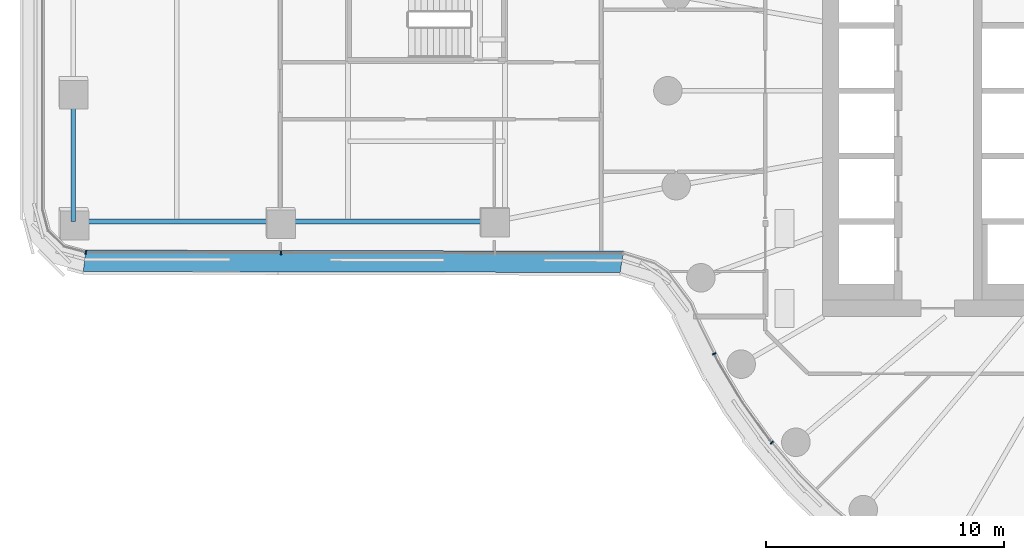
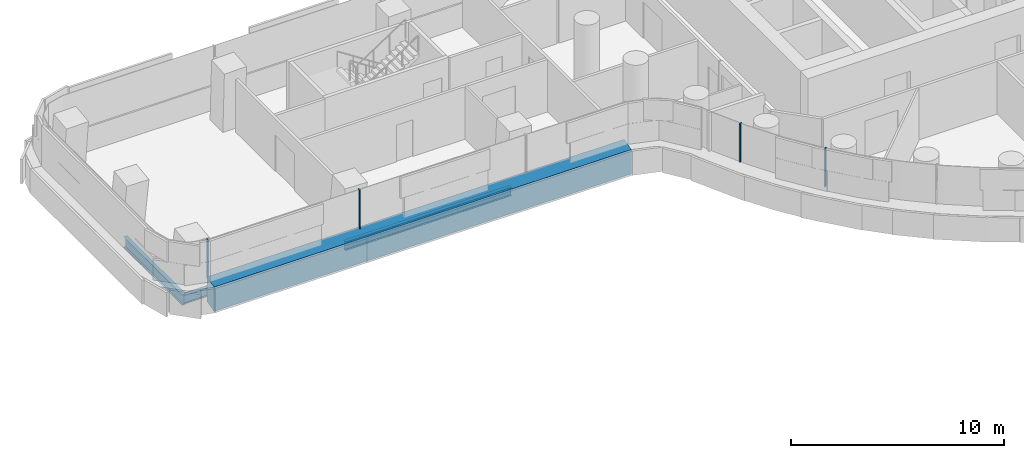
# One storey, part 4 of 32: 5 members, 3 beams, 2 elements without a shape of their own.
"""IFC4 building model written with IfcOpenShell, lengths in metres."""

from ifc_helpers import new_model, si_unit, direction, frame, origin, origin_2d, place, context, subcontext, project, spatial, polyline, rectangle, i_section, outline, extrude, material, layer, layer_set, material_profile, profile_set, type_object, element, aggregate, save


model = new_model("IFC4")

# Units and contexts
model_context = context("Model", 3, precision=1e-05, world=origin(), true_north=direction((0.0, 1.0)))
body_context = subcontext(model_context, "Body", "Model", "MODEL_VIEW")
ifc_project = project(units=[si_unit("LENGTHUNIT", "METRE"), si_unit("AREAUNIT", "SQUARE_METRE"), si_unit("VOLUMEUNIT", "CUBIC_METRE"), si_unit("PLANEANGLEUNIT", "RADIAN"), si_unit("MASSUNIT", "GRAM", prefix="KILO")], contexts=[model_context])

# Site, building, storey
site_placement = place(None, origin())
site = spatial("IfcSite", under=ifc_project, at=site_placement, CompositionType="ELEMENT")
building_placement = place(site_placement, origin())
building = spatial("IfcBuilding", under=site, at=building_placement, Name="Tamarind Cross Interchange Tower", CompositionType="ELEMENT")
storey_placement = place(building_placement, frame((0.0, 0.0, 34.0)))
storey = spatial("IfcBuildingStorey", under=building, at=storey_placement, Name="L06", CompositionType="ELEMENT", Elevation=34.0)

# Beams
ifc_material_1 = material(Name="Steel Q355B", Category="steel")
ifc_material_profile_1 = material_profile(ifc_material_1, i_section(OverallWidth=0.198974609375, OverallDepth=0.49609375, WebThickness=0.009033203125, FlangeThickness=0.013916015625, FilletRadius=0.012939453125, at=origin_2d()), Name="HN 496x199x9x14")
ifc_profile_set_1 = profile_set([ifc_material_profile_1], Name="Steel Q355B")
beam_type_1 = type_object("IfcBeamType", Name="Composite beam HN 496x199x9x14 Q355B", PredefinedType="BEAM", material=ifc_profile_set_1)
beam_1_placement = place(storey_placement, frame((-48.007568359375, -5.5, -0.387939453125), z_axis=(1.0, 0.0, 0.0), x_axis=(0.0, 1.0, 0.0)))
element("IfcBeam", 1, at=beam_1_placement, inside=storey, type_object=beam_type_1, Name="Beam W-edgeep2", PredefinedType="BEAM", context=body_context, shape_type="SweptSolid", body=[
    extrude(i_section(OverallWidth=0.198974609375, OverallDepth=0.49609375, WebThickness=0.009033203125, FlangeThickness=0.013916015625, FilletRadius=0.012939453125, at=origin_2d()), origin(), (0.0, 0.0, 1.0), 8.70751953125),
])
beam_2_placement = place(storey_placement, frame((-39.300048828125, -5.5, -0.387939453125), z_axis=(1.0, 0.0, 0.0), x_axis=(0.0, 1.0, 0.0)))
element("IfcBeam", 2, at=beam_2_placement, inside=storey, type_object=beam_type_1, Name="Beam W-edgeep3", PredefinedType="BEAM", context=body_context, shape_type="SweptSolid", body=[
    extrude(i_section(OverallWidth=0.198974609375, OverallDepth=0.49609375, WebThickness=0.009033203125, FlangeThickness=0.013916015625, FilletRadius=0.012939453125, at=origin_2d()), origin(), (0.0, 0.0, 1.0), 9.0),
])
ifc_material_profile_2 = material_profile(ifc_material_1, i_section(OverallWidth=0.199951171875, OverallDepth=0.60009765625, WebThickness=0.010986328125, FlangeThickness=0.01708984375, FilletRadius=0.012939453125, at=origin_2d()), Name="HN 600x200x11x17")
ifc_profile_set_2 = profile_set([ifc_material_profile_2], Name="Steel Q355B")
beam_type_2 = type_object("IfcBeamType", Name="Composite beam HN 600x200x11x17 Q355B", PredefinedType="BEAM", material=ifc_profile_set_2)
beam_3_placement = place(storey_placement, frame((-48.007568359375, 0.0, -0.43994140625), z_axis=(0.0, -1.0, 0.0), x_axis=(1.0, 0.0, 0.0)))
element("IfcBeam", 3, at=beam_3_placement, inside=storey, type_object=beam_type_2, Name="Beam W-tip1", PredefinedType="BEAM", context=body_context, shape_type="SweptSolid", body=[
    extrude(i_section(OverallWidth=0.199951171875, OverallDepth=0.60009765625, WebThickness=0.010986328125, FlangeThickness=0.01708984375, FilletRadius=0.012939453125, at=origin_2d()), origin(), (0.0, 0.0, 1.0), 5.5),
])

# Curtain wall, members
ifc_material_2 = material(Name="Aluminium 6063-T6", Category="aluminium")
ifc_layer_1 = layer(ifc_material_2, 0.159912109375)
ifc_layer_set_1 = layer_set([ifc_layer_1], Name="Aluminium 6063-T6")
curtain_wall_type_1 = type_object("IfcCurtainWallType", Name="Office curtain wall, 9.0 m bays", PredefinedType="NOTDEFINED", material=ifc_layer_set_1)
curtain_wall_1_placement = place(storey_placement, origin())
curtain_wall_1 = element("IfcCurtainWall", 4, at=curtain_wall_1_placement, inside=storey, type_object=curtain_wall_type_1, Name="CWS-L06-02", PredefinedType="NOTDEFINED")
ifc_material_3 = material(Name="Aluminium and insulated spandrel panel", Category="aluminium")
member_type_1 = type_object("IfcMemberType", Name="Floor-edge blade transom", PredefinedType="USERDEFINED", material=ifc_material_3)
member_1_placement = place(storey_placement, origin())
member_1 = element("IfcMember", 5, at=member_1_placement, type_object=member_type_1, Name="CWT-L06-02", ObjectType="TRANSOM", PredefinedType="USERDEFINED", context=body_context, shape_type="SweptSolid", body=[
    extrude(outline(polyline([(-47.4677734375, -6.7001953125), (-24.86962890625, -6.744384765625), (-25.00634765625, -7.64404296875), (-47.587158203125, -7.599853515625), (-47.4677734375, -6.7001953125)])), origin(), (0.0, 0.0, 1.0), 1.39990234375),
])
ifc_material_profile_3 = material_profile(ifc_material_2, rectangle(XDim=0.06005859375, YDim=0.159912109375, at=origin_2d()), Name="Mullion CW1")
ifc_profile_set_3 = profile_set([ifc_material_profile_3], Name="Aluminium 6063-T6")
member_type_2 = type_object("IfcMemberType", Name="Mullion CW1", PredefinedType="MULLION", material=ifc_profile_set_3)
member_2_placement = place(storey_placement, frame((-47.48095703125, -6.800048828125, 1.39990234375), z_axis=(0.0, 0.0, 1.0), x_axis=(0.991316352815, -0.13149862601, 0.0)))
member_2 = element("IfcMember", 6, at=member_2_placement, type_object=member_type_2, Name="CWM-L06-02-00", PredefinedType="MULLION", context=body_context, shape_type="SweptSolid", body=[
    extrude(rectangle(XDim=0.06005859375, YDim=0.159912109375, at=origin_2d()), origin(), (0.0, 0.0, 1.0), 2.210205078125),
])
member_3_placement = place(storey_placement, frame((-39.27197265625, -6.816162109375, 1.39990234375), z_axis=(0.0, 0.0, 1.0), x_axis=(0.999998075717, -0.00196177549, 0.0)))
member_3 = element("IfcMember", 7, at=member_3_placement, type_object=member_type_2, Name="CWM-L06-02-01", PredefinedType="MULLION", context=body_context, shape_type="SweptSolid", body=[
    extrude(rectangle(XDim=0.06005859375, YDim=0.159912109375, at=origin_2d()), origin(), (0.0, 0.0, 1.0), 2.210205078125),
])
aggregate(curtain_wall_1, [member_2, member_3, member_1])

ifc_layer_2 = layer(ifc_material_2, 0.14990234375)
ifc_layer_set_2 = layer_set([ifc_layer_2], Name="Aluminium 6063-T6")
curtain_wall_type_2 = type_object("IfcCurtainWallType", Name="Winter garden and crown curtain wall", PredefinedType="NOTDEFINED", material=ifc_layer_set_2)
curtain_wall_2_placement = place(storey_placement, origin())
curtain_wall_2 = element("IfcCurtainWall", 8, at=curtain_wall_2_placement, inside=storey, type_object=curtain_wall_type_2, Name="CWS-L06-03", PredefinedType="NOTDEFINED")
ifc_material_profile_4 = material_profile(ifc_material_2, rectangle(XDim=0.06005859375, YDim=0.14990234375, at=origin_2d()), Name="Mullion CW6")
ifc_profile_set_4 = profile_set([ifc_material_profile_4], Name="Aluminium 6063-T6")
member_type_3 = type_object("IfcMemberType", Name="Mullion CW6", PredefinedType="MULLION", material=ifc_profile_set_4)
member_4_placement = place(storey_placement, frame((-21.0537109375, -11.0615234375, 1.39990234375), z_axis=(0.0, 0.0, 1.0), x_axis=(0.443058811505, -0.896492548518, 0.0)))
member_4 = element("IfcMember", 9, at=member_4_placement, type_object=member_type_3, Name="CWM-L06-03-01", PredefinedType="MULLION", context=body_context, shape_type="SweptSolid", body=[
    extrude(rectangle(XDim=0.06005859375, YDim=0.14990234375, at=origin_2d()), origin(), (0.0, 0.0, 1.0), 2.210205078125),
])
member_5_placement = place(storey_placement, frame((-18.625244140625, -14.8017578125, 1.39990234375), z_axis=(0.0, 0.0, 1.0), x_axis=(0.64957723968, -0.760295606781, 0.0)))
member_5 = element("IfcMember", 10, at=member_5_placement, type_object=member_type_3, Name="CWM-L06-03-02", PredefinedType="MULLION", context=body_context, shape_type="SweptSolid", body=[
    extrude(rectangle(XDim=0.06005859375, YDim=0.14990234375, at=origin_2d()), origin(), (0.0, 0.0, 1.0), 2.210205078125),
])
aggregate(curtain_wall_2, [member_4, member_5])

save(model, "model.ifc")
